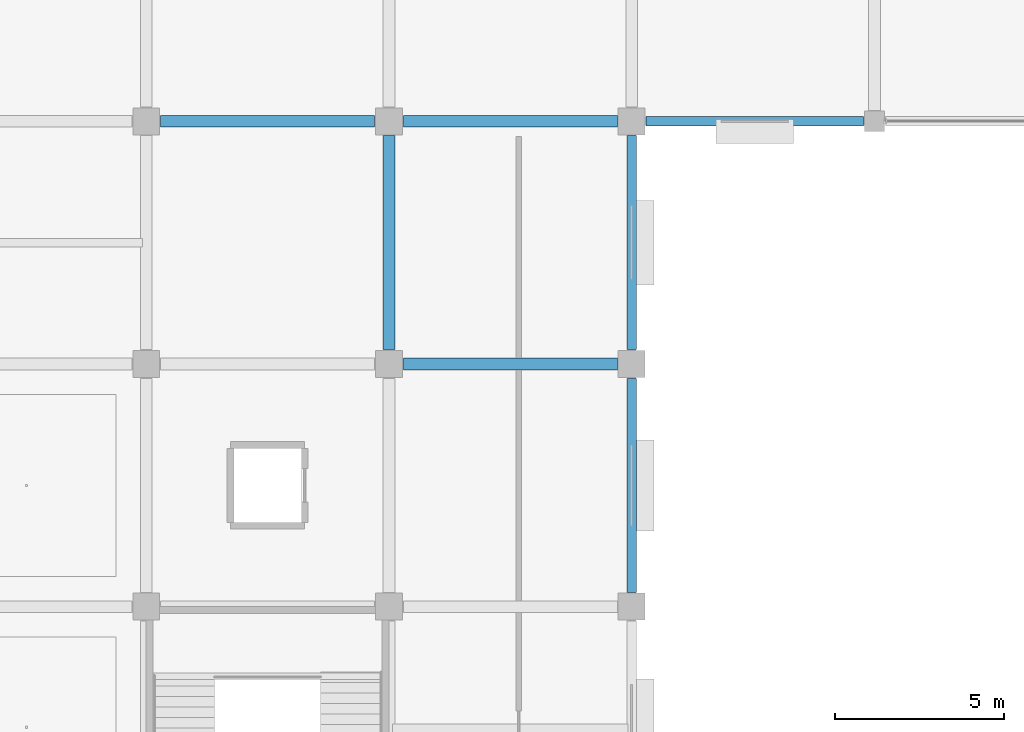
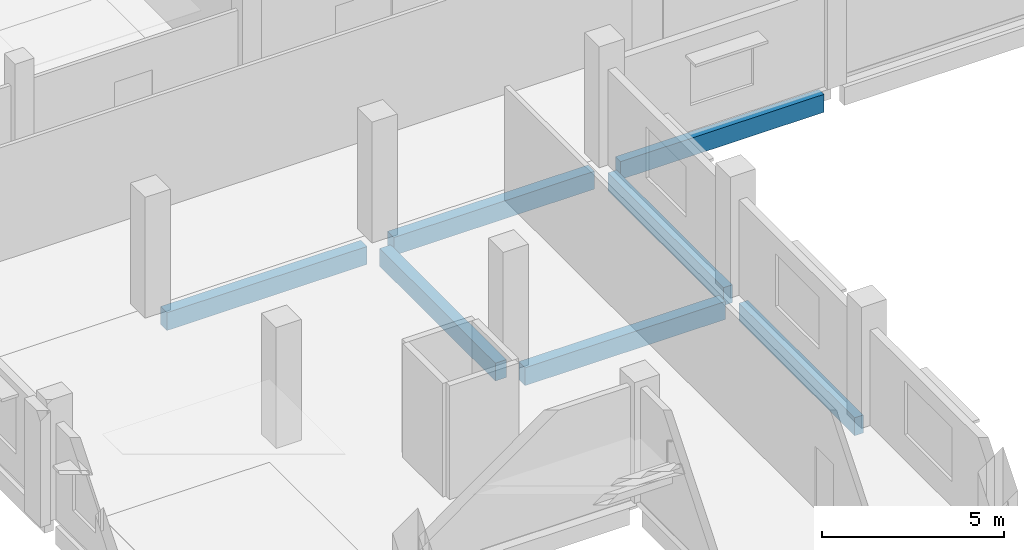
# One storey, part 12 of 108: 7 beams.
"""IFC4 building model written with IfcOpenShell, lengths in metres."""

from ifc_helpers import new_model, si_unit, direction, frame, origin, origin_2d, place, context, subcontext, project, spatial, rectangle, extrude, material, material_profile, profile_set, type_object, element, save


model = new_model("IFC4")

# Units and contexts
model_context = context("Model", 3, precision=1e-05, world=origin(), true_north=direction((0.0, 1.0)))
body_context = subcontext(model_context, "Body", "Model", "MODEL_VIEW")
ifc_project = project(units=[si_unit("LENGTHUNIT", "METRE"), si_unit("AREAUNIT", "SQUARE_METRE"), si_unit("VOLUMEUNIT", "CUBIC_METRE"), si_unit("PLANEANGLEUNIT", "RADIAN"), si_unit("MASSUNIT", "GRAM", prefix="KILO")], contexts=[model_context])

# Site, building, storey
site_placement = place(None, origin())
site = spatial("IfcSite", under=ifc_project, at=site_placement, CompositionType="ELEMENT")
building_placement = place(site_placement, origin())
building = spatial("IfcBuilding", under=site, at=building_placement, Name="Kangsadwip Square Police Headquarters", CompositionType="ELEMENT")
storey_placement = place(building_placement, frame((0.0, 0.0, 9.449951171875)))
storey = spatial("IfcBuildingStorey", under=building, at=storey_placement, Name="L02", CompositionType="ELEMENT", Elevation=9.449951171875)

# Beams
ifc_material_1 = material(Name="Concrete M35 (35 MPa)", Category="concrete")
ifc_material_profile_1 = material_profile(ifc_material_1, rectangle(XDim=0.35009765625, YDim=0.60009765625, at=origin_2d()), Name="RC BM 600X350")
ifc_profile_set_1 = profile_set([ifc_material_profile_1], Name="Concrete M35 (35 MPa)")
beam_type_1 = type_object("IfcBeamType", Name="RcBeam600x350", PredefinedType="BEAM", material=ifc_profile_set_1)
for number, where, z_axis, x_axis, name in (
    (1, (14.824951171875, 86.39990234375, -0.5400390625), (1.0, 0.0, 0.0), (0.0, 1.0, 0.0), "Beam BM-L02-X-02-12"),
    (2, (7.625, 93.60009765625, -0.5400390625), (1.0, 0.0, 0.0), (0.0, 1.0, 0.0), "Beam BM-L02-X-01-13"),
    (3, (14.824951171875, 93.60009765625, -0.5400390625), (1.0, 0.0, 0.0), (0.0, 1.0, 0.0), "Beam BM-L02-X-02-13"),
    (4, (14.39990234375, 86.824951171875, -0.5400390625), (0.0, 1.0, 0.0), (-1.0, 0.0, 0.0), "Beam BM-L02-Y-02-12"),
):
    element("IfcBeam", number, at=place(storey_placement, frame(where, z_axis=z_axis, x_axis=x_axis)), inside=storey, type_object=beam_type_1, Name=name, PredefinedType="BEAM", context=body_context, shape_type="SweptSolid", body=[
        extrude(rectangle(XDim=0.35009765625, YDim=0.60009765625, at=origin_2d()), origin(), (0.0, 0.0, 1.0), 6.35009765625),
    ])
ifc_material_2 = material(Name="Concrete M40 (40 MPa)", Category="concrete")
ifc_material_profile_2 = material_profile(ifc_material_2, rectangle(XDim=0.280029296875, YDim=0.60009765625, at=origin_2d()), Name="RC SPN 600X280")
ifc_profile_set_2 = profile_set([ifc_material_profile_2], Name="Concrete M40 (40 MPa)")
beam_type_2 = type_object("IfcBeamType", Name="RcSpandrel600x280", PredefinedType="SPANDREL", material=ifc_profile_set_2)
beam_placement = place(storey_placement, frame((22.02490234375, 93.60009765625, -0.5400390625), z_axis=(1.0, 0.0, 0.0), x_axis=(0.0, 1.0, 0.0)))
element("IfcBeam", 5, at=beam_placement, inside=storey, type_object=beam_type_2, Name="Beam BM-L02-X-03-13", PredefinedType="SPANDREL", context=body_context, shape_type="SweptSolid", body=[
    extrude(rectangle(XDim=0.280029296875, YDim=0.60009765625, at=origin_2d()), origin(), (0.0, 0.0, 1.0), 6.4501953125),
])
for number, where, z_axis, x_axis, name in (
    (6, (21.60009765625, 79.625, -0.5400390625), (0.0, 1.0, 0.0), (-1.0, 0.0, 0.0), "Beam BM-L02-Y-03-11"),
    (7, (21.60009765625, 86.824951171875, -0.5400390625), (0.0, 1.0, 0.0), (-1.0, 0.0, 0.0), "Beam BM-L02-Y-03-12"),
):
    element("IfcBeam", number, at=place(storey_placement, frame(where, z_axis=z_axis, x_axis=x_axis)), inside=storey, type_object=beam_type_2, Name=name, PredefinedType="SPANDREL", context=body_context, shape_type="SweptSolid", body=[
        extrude(rectangle(XDim=0.280029296875, YDim=0.60009765625, at=origin_2d()), origin(), (0.0, 0.0, 1.0), 6.35009765625),
    ])

save(model, "model.ifc")
